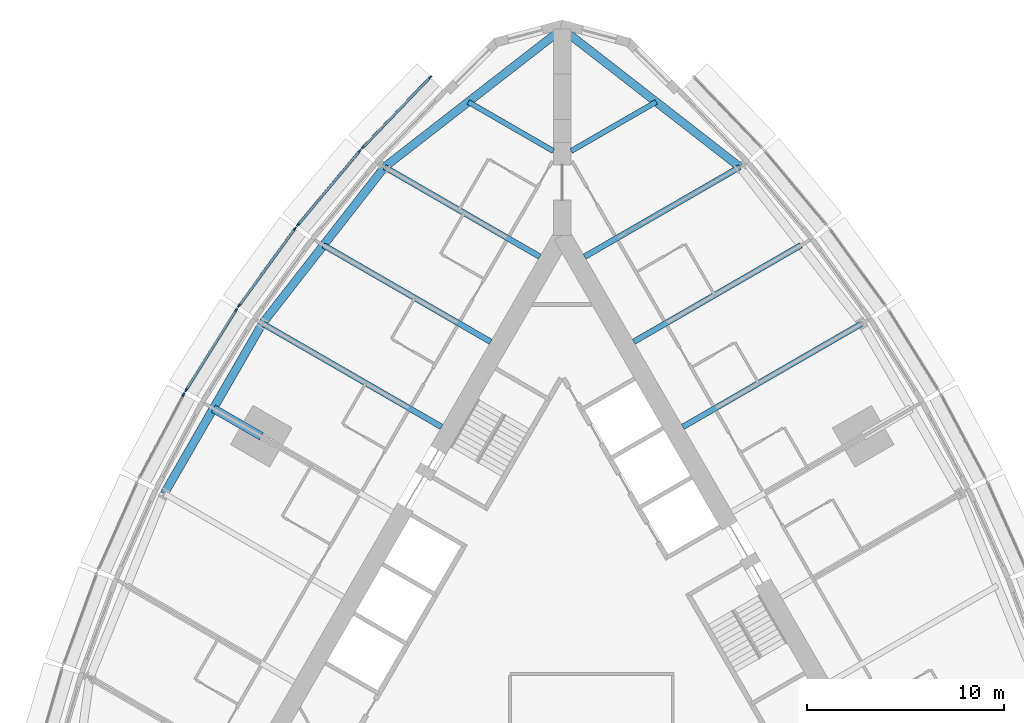
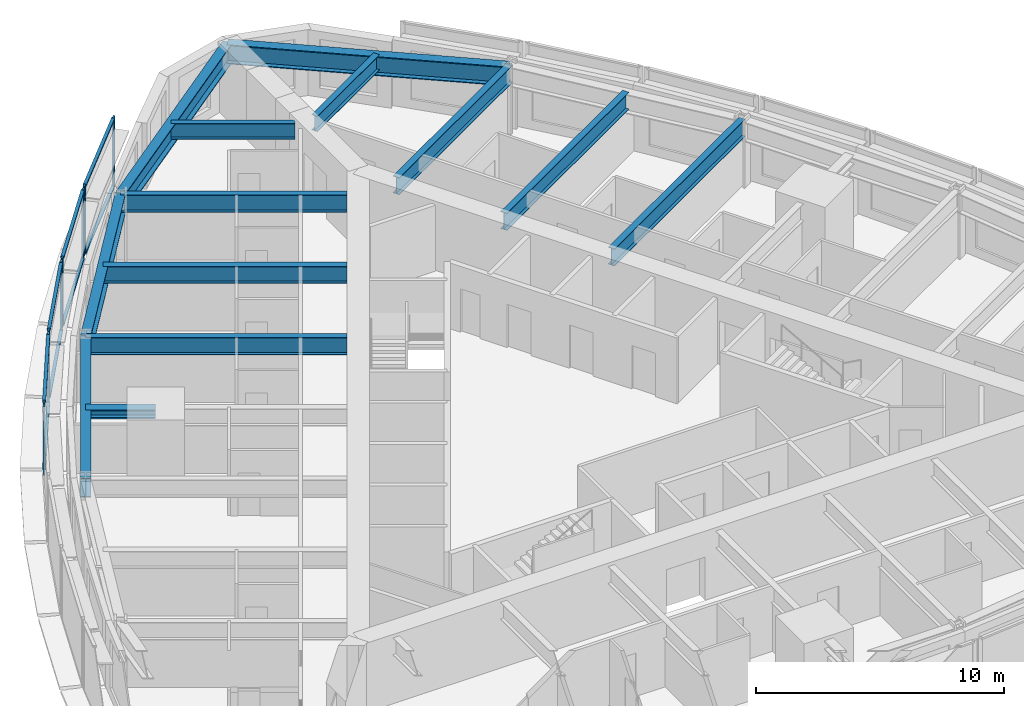
# One storey, part 4 of 14: 17 members, 13 beams, 5 elements without a shape of their own.
"""IFC4 building model written with IfcOpenShell, lengths in metres."""

from ifc_helpers import new_model, si_unit, direction, frame, origin, origin_2d, place, context, subcontext, project, spatial, rectangle, i_section, extrude, material, material_profile, profile_set, type_object, element, aggregate, save


model = new_model("IFC4")

# Units and contexts
model_context = context("Model", 3, precision=1e-05, world=origin(), true_north=direction((0.0, 1.0)))
body_context = subcontext(model_context, "Body", "Model", "MODEL_VIEW")
ifc_project = project(units=[si_unit("LENGTHUNIT", "METRE"), si_unit("AREAUNIT", "SQUARE_METRE"), si_unit("VOLUMEUNIT", "CUBIC_METRE"), si_unit("PLANEANGLEUNIT", "RADIAN"), si_unit("MASSUNIT", "GRAM", prefix="KILO")], contexts=[model_context])

# Site, building, storey
site_placement = place(None, origin())
site = spatial("IfcSite", under=ifc_project, at=site_placement, CompositionType="ELEMENT")
building_placement = place(site_placement, origin())
building = spatial("IfcBuilding", under=site, at=building_placement, Name="Trikona Tower", CompositionType="ELEMENT")
storey_placement = place(building_placement, frame((0.0, 0.0, 114.699951171875)))
storey = spatial("IfcBuildingStorey", under=building, at=storey_placement, Name="L29", CompositionType="ELEMENT", Elevation=114.699951171875)

# Curtain wall, members
ifc_material_1 = material(Name="Aluminium curtain wall system", Category="aluminium")
curtain_wall_type = type_object("IfcCurtainWallType", Name="Curtain wall DS2", PredefinedType="NOTDEFINED", material=ifc_material_1)
curtain_wall_1_placement = place(storey_placement, origin())
curtain_wall_1 = element("IfcCurtainWall", 1, at=curtain_wall_1_placement, inside=storey, type_object=curtain_wall_type, Name="Curtain wall DS2 L29", PredefinedType="NOTDEFINED")
ifc_material_2 = material(Name="Aluminium mullion, pale anodised", Category="aluminium")
ifc_material_profile_1 = material_profile(ifc_material_2, rectangle(XDim=0.080078125, YDim=0.199951171875, at=origin_2d()), Name="MUL-DS2")
ifc_profile_set_1 = profile_set([ifc_material_profile_1], Name="Aluminium mullion, pale anodised")
member_type_1 = type_object("IfcMemberType", Name="Mullion DS2 80x200", PredefinedType="MULLION", material=ifc_profile_set_1)
member_1_placement = place(storey_placement, frame((-6.718994140625, 27.1083984375, 0.0), z_axis=(0.0, 0.0, 1.0), x_axis=(0.722158330767, -0.691727797117, 0.0)))
member_1 = element("IfcMember", 2, at=member_1_placement, type_object=member_type_1, Name="CW-DS2 mullion 1", PredefinedType="MULLION", context=body_context, shape_type="SweptSolid", body=[
    extrude(rectangle(XDim=0.080078125, YDim=0.199951171875, at=origin_2d()), origin(), (0.0, 0.0, 1.0), 3.400146484375),
])
member_2_placement = place(storey_placement, frame((-10.1416015625, 23.535400390625, 0.0), z_axis=(0.0, 0.0, 1.0), x_axis=(0.722158330767, -0.691727797117, 0.0)))
member_2 = element("IfcMember", 3, at=member_2_placement, type_object=member_type_1, Name="CW-DS2 mullion 2", PredefinedType="MULLION", context=body_context, shape_type="SweptSolid", body=[
    extrude(rectangle(XDim=0.080078125, YDim=0.199951171875, at=origin_2d()), origin(), (0.0, 0.0, 1.0), 3.400146484375),
])

curtain_wall_2_placement = place(storey_placement, origin())
curtain_wall_2 = element("IfcCurtainWall", 4, at=curtain_wall_2_placement, inside=storey, type_object=curtain_wall_type, Name="Curtain wall DS2 L29", PredefinedType="NOTDEFINED")
member_3_placement = place(storey_placement, frame((-10.315185546875, 23.34130859375, 0.0), z_axis=(0.0, 0.0, 1.0), x_axis=(0.766866678271, -0.641806433248, 0.0)))
member_3 = element("IfcMember", 5, at=member_3_placement, type_object=member_type_1, Name="CW-DS2 mullion 1", PredefinedType="MULLION", context=body_context, shape_type="SweptSolid", body=[
    extrude(rectangle(XDim=0.080078125, YDim=0.199951171875, at=origin_2d()), origin(), (0.0, 0.0, 1.0), 3.400146484375),
])
member_4_placement = place(storey_placement, frame((-13.44482421875, 19.602294921875, 0.0), z_axis=(0.0, 0.0, 1.0), x_axis=(0.766866678271, -0.641806433248, 0.0)))
member_4 = element("IfcMember", 6, at=member_4_placement, type_object=member_type_1, Name="CW-DS2 mullion 2", PredefinedType="MULLION", context=body_context, shape_type="SweptSolid", body=[
    extrude(rectangle(XDim=0.080078125, YDim=0.199951171875, at=origin_2d()), origin(), (0.0, 0.0, 1.0), 3.400146484375),
])

curtain_wall_3_placement = place(storey_placement, origin())
curtain_wall_3 = element("IfcCurtainWall", 7, at=curtain_wall_3_placement, inside=storey, type_object=curtain_wall_type, Name="Curtain wall DS2 L29", PredefinedType="NOTDEFINED")
member_5_placement = place(storey_placement, frame((-13.605712890625, 19.39599609375, 0.0), z_axis=(0.0, 0.0, 1.0), x_axis=(0.80908576332, -0.587690588313, 0.0)))
member_5 = element("IfcMember", 8, at=member_5_placement, type_object=member_type_1, Name="CW-DS2 mullion 1", PredefinedType="MULLION", context=body_context, shape_type="SweptSolid", body=[
    extrude(rectangle(XDim=0.080078125, YDim=0.199951171875, at=origin_2d()), origin(), (0.0, 0.0, 1.0), 3.400146484375),
])
member_6_placement = place(storey_placement, frame((-16.442626953125, 15.489990234375, 0.0), z_axis=(0.0, 0.0, 1.0), x_axis=(0.80908576332, -0.587690588313, 0.0)))
member_6 = element("IfcMember", 9, at=member_6_placement, type_object=member_type_1, Name="CW-DS2 mullion 2", PredefinedType="MULLION", context=body_context, shape_type="SweptSolid", body=[
    extrude(rectangle(XDim=0.080078125, YDim=0.199951171875, at=origin_2d()), origin(), (0.0, 0.0, 1.0), 3.400146484375),
])

curtain_wall_4_placement = place(storey_placement, origin())
curtain_wall_4 = element("IfcCurtainWall", 10, at=curtain_wall_4_placement, inside=storey, type_object=curtain_wall_type, Name="Curtain wall DS2 L29", PredefinedType="NOTDEFINED")
member_7_placement = place(storey_placement, frame((-16.589599609375, 15.2724609375, 0.0), z_axis=(0.0, 0.0, 1.0), x_axis=(0.847998304006, -0.529998940002, 0.0)))
member_7 = element("IfcMember", 11, at=member_7_placement, type_object=member_type_1, Name="CW-DS2 mullion 1", PredefinedType="MULLION", context=body_context, shape_type="SweptSolid", body=[
    extrude(rectangle(XDim=0.080078125, YDim=0.199951171875, at=origin_2d()), origin(), (0.0, 0.0, 1.0), 3.400146484375),
])
member_8_placement = place(storey_placement, frame((-19.135009765625, 11.199462890625, 0.0), z_axis=(0.0, 0.0, 1.0), x_axis=(0.847998304006, -0.529998940002, 0.0)))
member_8 = element("IfcMember", 12, at=member_8_placement, type_object=member_type_1, Name="CW-DS2 mullion 2", PredefinedType="MULLION", context=body_context, shape_type="SweptSolid", body=[
    extrude(rectangle(XDim=0.080078125, YDim=0.199951171875, at=origin_2d()), origin(), (0.0, 0.0, 1.0), 3.400146484375),
])

# Curtain wall, member
curtain_wall_5_placement = place(storey_placement, origin())
curtain_wall_5 = element("IfcCurtainWall", 13, at=curtain_wall_5_placement, inside=storey, type_object=curtain_wall_type, Name="Curtain wall DS2 L29", PredefinedType="NOTDEFINED")
member_9_placement = place(storey_placement, frame((-19.2666015625, 10.9716796875, 0.0), z_axis=(0.0, 0.0, 1.0), x_axis=(0.882996107343, -0.469380308937, 0.0)))
member_9 = element("IfcMember", 14, at=member_9_placement, type_object=member_type_1, Name="CW-DS2 mullion 1", PredefinedType="MULLION", context=body_context, shape_type="SweptSolid", body=[
    extrude(rectangle(XDim=0.080078125, YDim=0.199951171875, at=origin_2d()), origin(), (0.0, 0.0, 1.0), 3.400146484375),
])
aggregate(curtain_wall_5, [member_9])

# Beams
ifc_material_3 = material(Name="Steel ASTM A992 Grade 50", Category="steel")
ifc_material_profile_2 = material_profile(ifc_material_3, i_section(OverallWidth=0.419189453125, OverallDepth=0.45458984375, WebThickness=0.042236328125, FlangeThickness=0.067626953125, at=origin_2d()), Name="W14X370")
ifc_profile_set_2 = profile_set([ifc_material_profile_2], Name="Steel ASTM A992 Grade 50")
beam_type_1 = type_object("IfcBeamType", Name="Steel beam W14x370 (apex bracket)", PredefinedType="BEAM", material=ifc_profile_set_2)
beam_1_placement = place(storey_placement, frame((-15.311767578125, 8.84033203125, 3.0078125), z_axis=(-0.86605005072, 0.499957307824, 0.0), x_axis=(-0.499957307824, -0.86605005072, 0.0)))
element("IfcBeam", 15, at=beam_1_placement, inside=storey, type_object=beam_type_1, Name="Cantilever bracket L30 F3", PredefinedType="BEAM", context=body_context, shape_type="SweptSolid", body=[
    extrude(i_section(OverallWidth=0.419189453125, OverallDepth=0.45458984375, WebThickness=0.042236328125, FlangeThickness=0.067626953125, at=origin_2d()), origin(), (0.0, 0.0, 1.0), 2.819580078125),
])
ifc_material_4 = material(Name="Steel ASTM A992 Grade 50", Category="steel")
ifc_material_profile_3 = material_profile(ifc_material_4, i_section(OverallWidth=0.2666015625, OverallDepth=0.76953125, WebThickness=0.015625, FlangeThickness=0.025390625, at=origin_2d()), Name="W30X132")
ifc_profile_set_3 = profile_set([ifc_material_profile_3], Name="Steel ASTM A992 Grade 50")
beam_type_2 = type_object("IfcBeamType", Name="Steel beam W30x132 (wedge)", PredefinedType="BEAM", material=ifc_profile_set_3)
for number, where, z_axis, x_axis, name in (
    (16, (0.449951171875, 23.353759765625, 2.850341796875), (0.866038434829, 0.49997742889, 0.0), (-0.49997742889, 0.866038434829, 0.0), "Floor beam L30 F2 u20"),
    (17, (-0.449951171875, 23.353759765625, 2.850341796875), (-0.866038434829, 0.49997742889, 0.0), (-0.49997742889, -0.866038434829, 0.0), "Floor beam L30 F3 u-20"),
):
    element("IfcBeam", number, at=place(storey_placement, frame(where, z_axis=z_axis, x_axis=x_axis)), inside=storey, type_object=beam_type_2, Name=name, PredefinedType="BEAM", context=body_context, shape_type="SweptSolid", body=[
        extrude(i_section(OverallWidth=0.2666015625, OverallDepth=0.76953125, WebThickness=0.015625, FlangeThickness=0.025390625, at=origin_2d()), origin(), (0.0, 0.0, 1.0), 5.000732421875),
    ])
ifc_material_5 = material(Name="Steel ASTM A992 Grade 50", Category="steel")
ifc_material_profile_4 = material_profile(ifc_material_5, i_section(OverallWidth=0.2919921875, OverallDepth=0.845703125, WebThickness=0.015380859375, FlangeThickness=0.0244140625, at=origin_2d()), Name="W33X141")
ifc_profile_set_4 = profile_set([ifc_material_profile_4], Name="Steel ASTM A992 Grade 50")
beam_type_3 = type_object("IfcBeamType", Name="Steel beam W33x141 (radial typ)", PredefinedType="BEAM", material=ifc_profile_set_4)
beam_2_placement = place(storey_placement, frame((6.1396484375, 9.318359375, 2.812255859375), z_axis=(0.866036080828, 0.499981506362, 0.0), x_axis=(-0.499981506362, 0.866036080828, 0.0)))
element("IfcBeam", 18, at=beam_2_placement, inside=storey, type_object=beam_type_3, Name="Floor beam L30 F2 u5", PredefinedType="BEAM", context=body_context, shape_type="SweptSolid", body=[
    extrude(i_section(OverallWidth=0.2919921875, OverallDepth=0.845703125, WebThickness=0.015380859375, FlangeThickness=0.0244140625, at=origin_2d()), origin(), (0.0, 0.0, 1.0), 10.52392578125),
])
beam_3_placement = place(storey_placement, frame((3.6396484375, 13.6484375, 2.812255859375), z_axis=(0.866030807744, 0.499990639951, 0.0), x_axis=(-0.499990639951, 0.866030807744, 0.0)))
element("IfcBeam", 19, at=beam_3_placement, inside=storey, type_object=beam_type_3, Name="Floor beam L30 F2 u10", PredefinedType="BEAM", context=body_context, shape_type="SweptSolid", body=[
    extrude(i_section(OverallWidth=0.2919921875, OverallDepth=0.845703125, WebThickness=0.015380859375, FlangeThickness=0.0244140625, at=origin_2d()), origin(), (0.0, 0.0, 1.0), 9.823974609375),
])
for number, where, z_axis, x_axis, name in (
    (20, (1.1396484375, 17.978515625, 2.812255859375), (0.866024725532, 0.500001174766, 0.0), (-0.500001174766, 0.866024725532, 0.0), "Floor beam L30 F2 u15"),
    (21, (-1.1396484375, 17.978515625, 2.812255859375), (-0.866024725532, 0.500001174766, 0.0), (-0.500001174766, -0.866024725532, 0.0), "Floor beam L30 F3 u-15"),
):
    element("IfcBeam", number, at=place(storey_placement, frame(where, z_axis=z_axis, x_axis=x_axis)), inside=storey, type_object=beam_type_3, Name=name, PredefinedType="BEAM", context=body_context, shape_type="SweptSolid", body=[
        extrude(i_section(OverallWidth=0.2919921875, OverallDepth=0.845703125, WebThickness=0.015380859375, FlangeThickness=0.0244140625, at=origin_2d()), origin(), (0.0, 0.0, 1.0), 9.1240234375),
    ])
beam_4_placement = place(storey_placement, frame((-3.6396484375, 13.6484375, 2.812255859375), z_axis=(-0.866030807744, 0.499990639951, 0.0), x_axis=(-0.499990639951, -0.866030807744, 0.0)))
element("IfcBeam", 22, at=beam_4_placement, inside=storey, type_object=beam_type_3, Name="Floor beam L30 F3 u-10", PredefinedType="BEAM", context=body_context, shape_type="SweptSolid", body=[
    extrude(i_section(OverallWidth=0.2919921875, OverallDepth=0.845703125, WebThickness=0.015380859375, FlangeThickness=0.0244140625, at=origin_2d()), origin(), (0.0, 0.0, 1.0), 9.823974609375),
])
beam_5_placement = place(storey_placement, frame((-6.1396484375, 9.318359375, 2.812255859375), z_axis=(-0.866036080828, 0.499981506362, 0.0), x_axis=(-0.499981506362, -0.866036080828, 0.0)))
element("IfcBeam", 23, at=beam_5_placement, inside=storey, type_object=beam_type_3, Name="Floor beam L30 F3 u-5", PredefinedType="BEAM", context=body_context, shape_type="SweptSolid", body=[
    extrude(i_section(OverallWidth=0.2919921875, OverallDepth=0.845703125, WebThickness=0.015380859375, FlangeThickness=0.0244140625, at=origin_2d()), origin(), (0.0, 0.0, 1.0), 10.52392578125),
])
ifc_material_6 = material(Name="Steel ASTM A992 Grade 50", Category="steel")
ifc_material_profile_5 = material_profile(ifc_material_6, i_section(OverallWidth=0.424072265625, OverallDepth=0.947509765625, WebThickness=0.02392578125, FlangeThickness=0.042724609375, at=origin_2d()), Name="W36X302")
ifc_profile_set_5 = profile_set([ifc_material_profile_5], Name="Steel ASTM A992 Grade 50")
beam_type_4 = type_object("IfcBeamType", Name="Steel beam W36x302 (spandrel)", PredefinedType="SPANDREL", material=ifc_profile_set_5)
for number, where, z_axis, x_axis, name in (
    (24, (9.041259765625, 22.54052734375, 2.76123046875), (-0.789367137808, 0.613921429621, 0.0), (-0.613921429621, -0.789367137808, 0.0), "Spandrel beam L30 F2-5"),
    (25, (0.0, 29.572265625, 2.76123046875), (-0.789367137808, -0.613921429621, 0.0), (0.613921429621, -0.789367137808, 0.0), "Spandrel beam L30 F3-1"),
):
    element("IfcBeam", number, at=place(storey_placement, frame(where, z_axis=z_axis, x_axis=x_axis)), inside=storey, type_object=beam_type_4, Name=name, PredefinedType="SPANDREL", context=body_context, shape_type="SweptSolid", body=[
        extrude(i_section(OverallWidth=0.424072265625, OverallDepth=0.947509765625, WebThickness=0.02392578125, FlangeThickness=0.042724609375, at=origin_2d()), origin(), (0.0, 0.0, 1.0), 11.453857421875),
    ])
beam_6_placement = place(storey_placement, frame((-9.041259765625, 22.54052734375, 2.76123046875), z_axis=(-0.615232009054, -0.788346101046, 0.0), x_axis=(0.788346101046, -0.615232009054, 0.0)))
element("IfcBeam", 26, at=beam_6_placement, inside=storey, type_object=beam_type_4, Name="Spandrel beam L30 F3-2", PredefinedType="SPANDREL", context=body_context, shape_type="SweptSolid", body=[
    extrude(i_section(OverallWidth=0.424072265625, OverallDepth=0.947509765625, WebThickness=0.02392578125, FlangeThickness=0.042724609375, at=origin_2d()), origin(), (0.0, 0.0, 1.0), 10.09765625),
])
beam_7_placement = place(storey_placement, frame((-15.253662109375, 14.580078125, 2.76123046875), z_axis=(-0.500004234368, -0.866022959057, 0.0), x_axis=(0.866022959057, -0.500004234368, 0.0)))
element("IfcBeam", 27, at=beam_7_placement, inside=storey, type_object=beam_type_4, Name="Spandrel beam L30 F3-3", PredefinedType="SPANDREL", context=body_context, shape_type="SweptSolid", body=[
    extrude(i_section(OverallWidth=0.424072265625, OverallDepth=0.947509765625, WebThickness=0.02392578125, FlangeThickness=0.042724609375, at=origin_2d()), origin(), (0.0, 0.0, 1.0), 10.0),
])

# Member
ifc_material_7 = material(Name="Aluminium transom, pale anodised", Category="aluminium")
ifc_material_profile_6 = material_profile(ifc_material_7, rectangle(XDim=0.139892578125, YDim=0.080078125, at=origin_2d()), Name="TRN-DS2")
ifc_profile_set_6 = profile_set([ifc_material_profile_6], Name="Aluminium transom, pale anodised")
member_type_2 = type_object("IfcMemberType", Name="Transom DS2 80x140", PredefinedType="USERDEFINED", material=ifc_profile_set_6)
member_10_placement = place(storey_placement, frame((-6.746826171875, 27.07958984375, 0.0400390625), z_axis=(-0.691721246785, -0.722164605022, 0.0), x_axis=(0.722164605022, -0.691721246785, 0.0)))
member_10 = element("IfcMember", 28, at=member_10_placement, type_object=member_type_2, Name="CW-DS2 transom 1.1", ObjectType="TRANSOM", PredefinedType="USERDEFINED", context=body_context, shape_type="SweptSolid", body=[
    extrude(rectangle(XDim=0.139892578125, YDim=0.080078125, at=origin_2d()), origin(), (0.0, 0.0, 1.0), 4.867919921875),
])

member_11_placement = place(storey_placement, frame((-6.746826171875, 27.07958984375, 3.360107421875), z_axis=(-0.691721246785, -0.722164605022, 0.0), x_axis=(0.722164605022, -0.691721246785, 0.0)))
member_11 = element("IfcMember", 29, at=member_11_placement, type_object=member_type_2, Name="CW-DS2 transom 1.2", ObjectType="TRANSOM", PredefinedType="USERDEFINED", context=body_context, shape_type="SweptSolid", body=[
    extrude(rectangle(XDim=0.139892578125, YDim=0.080078125, at=origin_2d()), origin(), (0.0, 0.0, 1.0), 4.867919921875),
])

aggregate(curtain_wall_1, [member_1, member_2, member_10, member_11])

member_12_placement = place(storey_placement, frame((-10.341064453125, 23.310791015625, 0.0400390625), z_axis=(-0.641770294892, -0.766896921753, 0.0), x_axis=(0.766896921753, -0.641770294892, 0.0)))
member_12 = element("IfcMember", 30, at=member_12_placement, type_object=member_type_2, Name="CW-DS2 transom 1.1", ObjectType="TRANSOM", PredefinedType="USERDEFINED", context=body_context, shape_type="SweptSolid", body=[
    extrude(rectangle(XDim=0.139892578125, YDim=0.080078125, at=origin_2d()), origin(), (0.0, 0.0, 1.0), 4.7958984375),
])

member_13_placement = place(storey_placement, frame((-10.341064453125, 23.310791015625, 3.360107421875), z_axis=(-0.641770294892, -0.766896921753, 0.0), x_axis=(0.766896921753, -0.641770294892, 0.0)))
member_13 = element("IfcMember", 31, at=member_13_placement, type_object=member_type_2, Name="CW-DS2 transom 1.2", ObjectType="TRANSOM", PredefinedType="USERDEFINED", context=body_context, shape_type="SweptSolid", body=[
    extrude(rectangle(XDim=0.139892578125, YDim=0.080078125, at=origin_2d()), origin(), (0.0, 0.0, 1.0), 4.7958984375),
])

aggregate(curtain_wall_2, [member_3, member_4, member_12, member_13])

member_14_placement = place(storey_placement, frame((-13.629150390625, 19.363525390625, 0.0400390625), z_axis=(-0.587694585883, -0.809082859616, 0.0), x_axis=(0.809082859616, -0.587694585883, 0.0)))
member_14 = element("IfcMember", 32, at=member_14_placement, type_object=member_type_2, Name="CW-DS2 transom 1.1", ObjectType="TRANSOM", PredefinedType="USERDEFINED", context=body_context, shape_type="SweptSolid", body=[
    extrude(rectangle(XDim=0.139892578125, YDim=0.080078125, at=origin_2d()), origin(), (0.0, 0.0, 1.0), 4.747314453125),
])

member_15_placement = place(storey_placement, frame((-13.629150390625, 19.363525390625, 3.360107421875), z_axis=(-0.587694585883, -0.809082859616, 0.0), x_axis=(0.809082859616, -0.587694585883, 0.0)))
member_15 = element("IfcMember", 33, at=member_15_placement, type_object=member_type_2, Name="CW-DS2 transom 1.2", ObjectType="TRANSOM", PredefinedType="USERDEFINED", context=body_context, shape_type="SweptSolid", body=[
    extrude(rectangle(XDim=0.139892578125, YDim=0.080078125, at=origin_2d()), origin(), (0.0, 0.0, 1.0), 4.747314453125),
])

aggregate(curtain_wall_3, [member_5, member_6, member_14, member_15])

member_16_placement = place(storey_placement, frame((-16.610595703125, 15.238525390625, 0.0400390625), z_axis=(-0.530031463794, -0.847977975769, 0.0), x_axis=(0.847977975769, -0.530031463794, 0.0)))
member_16 = element("IfcMember", 34, at=member_16_placement, type_object=member_type_2, Name="CW-DS2 transom 1.1", ObjectType="TRANSOM", PredefinedType="USERDEFINED", context=body_context, shape_type="SweptSolid", body=[
    extrude(rectangle(XDim=0.139892578125, YDim=0.080078125, at=origin_2d()), origin(), (0.0, 0.0, 1.0), 4.72314453125),
])

member_17_placement = place(storey_placement, frame((-16.610595703125, 15.238525390625, 3.360107421875), z_axis=(-0.530031463794, -0.847977975769, 0.0), x_axis=(0.847977975769, -0.530031463794, 0.0)))
member_17 = element("IfcMember", 35, at=member_17_placement, type_object=member_type_2, Name="CW-DS2 transom 1.2", ObjectType="TRANSOM", PredefinedType="USERDEFINED", context=body_context, shape_type="SweptSolid", body=[
    extrude(rectangle(XDim=0.139892578125, YDim=0.080078125, at=origin_2d()), origin(), (0.0, 0.0, 1.0), 4.72314453125),
])

aggregate(curtain_wall_4, [member_7, member_8, member_16, member_17])

save(model, "model.ifc")
